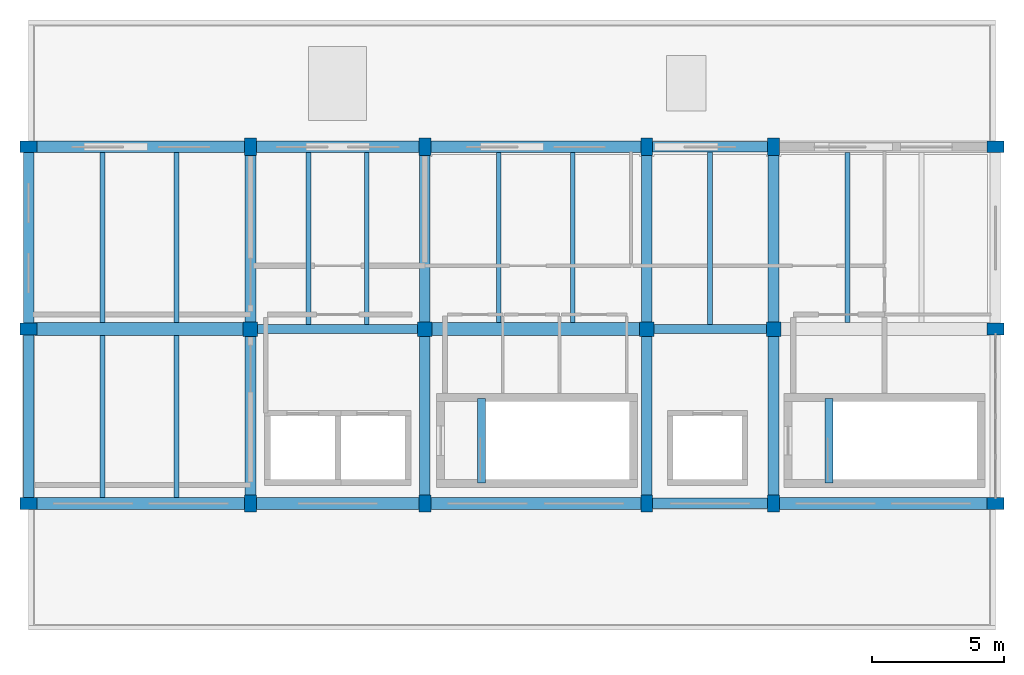
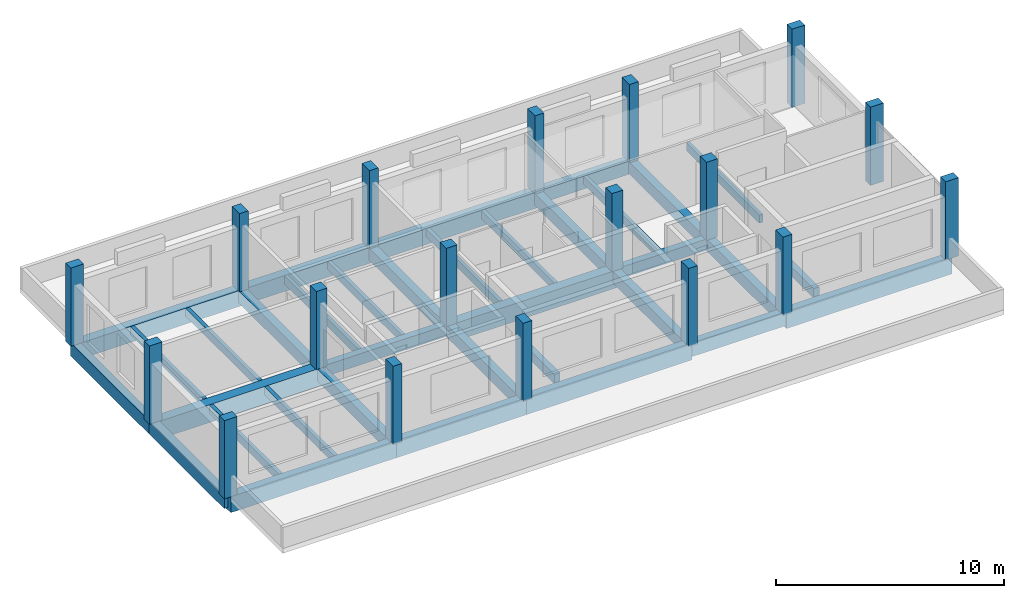
# One storey, part 1 of 6: 35 beams, 18 columns.
"""IFC4 building model written with IfcOpenShell, lengths in metres."""

from ifc_helpers import new_model, si_unit, direction, frame, origin, origin_2d, place, context, subcontext, project, spatial, rectangle, extrude, material, material_profile, profile_set, type_object, element, save


model = new_model("IFC4")

# Units and contexts
model_context = context("Model", 3, precision=1e-05, world=origin(), true_north=direction((0.0, 1.0)))
body_context = subcontext(model_context, "Body", "Model", "MODEL_VIEW")
ifc_project = project(units=[si_unit("LENGTHUNIT", "METRE"), si_unit("AREAUNIT", "SQUARE_METRE"), si_unit("VOLUMEUNIT", "CUBIC_METRE"), si_unit("PLANEANGLEUNIT", "RADIAN"), si_unit("MASSUNIT", "GRAM", prefix="KILO")], contexts=[model_context])

# Site, building, storey
site_placement = place(None, origin())
site = spatial("IfcSite", under=ifc_project, at=site_placement, CompositionType="ELEMENT")
building_placement = place(site_placement, origin())
building = spatial("IfcBuilding", under=site, at=building_placement, Name="Dornvale Research Institute", CompositionType="ELEMENT")
storey_placement = place(building_placement, frame((0.0, 0.0, 46.800048828125)))
storey = spatial("IfcBuildingStorey", under=building, at=storey_placement, Name="L10", CompositionType="ELEMENT", Elevation=46.800048828125)

# Columns
ifc_material_1 = material(Name="Concrete f'c 45 MPa (C35/45)", Category="concrete")
ifc_material_profile_1 = material_profile(ifc_material_1, rectangle(XDim=0.550048828125, YDim=0.550048828125, at=origin_2d()), Name="RC 550x550")
ifc_profile_set_1 = profile_set([ifc_material_profile_1], Name="Concrete f'c 45 MPa (C35/45)")
column_type_1 = type_object("IfcColumnType", Name="Column_RC550", PredefinedType="COLUMN", material=ifc_profile_set_1)
for number, where, z_axis, x_axis, name in (
    (1, (13.199951171875, 110.39990234375, 0.0), (0.0, 0.0, 1.0), (1.0, 0.0, 0.0), "L10 column #400"),
    (2, (19.800048828125, 110.39990234375, 0.0), (0.0, 0.0, 1.0), (1.0, 0.0, 0.0), "L10 column #403"),
    (3, (28.199951171875, 110.39990234375, 0.0), (0.0, 0.0, 1.0), (1.0, 0.0, 0.0), "L10 column #406"),
    (4, (33.0, 110.39990234375, 0.0), (0.0, 0.0, 1.0), (1.0, 0.0, 0.0), "L10 column #409"),
):
    element("IfcColumn", number, at=place(storey_placement, frame(where, z_axis=z_axis, x_axis=x_axis)), inside=storey, type_object=column_type_1, Name=name, PredefinedType="COLUMN", context=body_context, shape_type="SweptSolid", body=[
        extrude(rectangle(XDim=0.550048828125, YDim=0.550048828125, at=origin_2d()), origin(), (0.0, 0.0, 1.0), 4.199951171875),
    ])
ifc_material_2 = material(Name="Concrete f'c 45 MPa (C35/45)", Category="concrete")
ifc_material_profile_2 = material_profile(ifc_material_2, rectangle(XDim=0.449951171875, YDim=0.64990234375, at=origin_2d()), Name="RC 450x650")
ifc_profile_set_2 = profile_set([ifc_material_profile_2], Name="Concrete f'c 45 MPa (C35/45)")
column_type_2 = type_object("IfcColumnType", Name="Pilaster_RC450x650_Ext", PredefinedType="PILASTER", material=ifc_profile_set_2)
for number, where, z_axis, x_axis, name in (
    (5, (4.800048828125, 103.800048828125, 0.0), (0.0, 0.0, 1.0), (0.0, 1.0, 0.0), "L10 column #396"),
    (6, (4.800048828125, 110.39990234375, 0.0), (0.0, 0.0, 1.0), (0.0, 1.0, 0.0), "L10 column #397"),
    (7, (4.800048828125, 117.300048828125, 0.0), (0.0, 0.0, 1.0), (0.0, 1.0, 0.0), "L10 column #398"),
    (8, (13.199951171875, 103.800048828125, 0.0), (0.0, 0.0, 1.0), (1.0, 0.0, 0.0), "L10 column #399"),
    (9, (13.199951171875, 117.300048828125, 0.0), (0.0, 0.0, 1.0), (1.0, 0.0, 0.0), "L10 column #401"),
    (10, (19.800048828125, 103.800048828125, 0.0), (0.0, 0.0, 1.0), (1.0, 0.0, 0.0), "L10 column #402"),
    (11, (19.800048828125, 117.300048828125, 0.0), (0.0, 0.0, 1.0), (1.0, 0.0, 0.0), "L10 column #404"),
    (12, (28.199951171875, 103.800048828125, 0.0), (0.0, 0.0, 1.0), (1.0, 0.0, 0.0), "L10 column #405"),
    (13, (28.199951171875, 117.300048828125, 0.0), (0.0, 0.0, 1.0), (1.0, 0.0, 0.0), "L10 column #407"),
    (14, (33.0, 103.800048828125, 0.0), (0.0, 0.0, 1.0), (1.0, 0.0, 0.0), "L10 column #408"),
    (15, (33.0, 117.300048828125, 0.0), (0.0, 0.0, 1.0), (1.0, 0.0, 0.0), "L10 column #410"),
    (16, (41.39990234375, 103.800048828125, 0.0), (0.0, 0.0, 1.0), (0.0, 1.0, 0.0), "L10 column #411"),
    (17, (41.39990234375, 110.39990234375, 0.0), (0.0, 0.0, 1.0), (0.0, 1.0, 0.0), "L10 column #412"),
    (18, (41.39990234375, 117.300048828125, 0.0), (0.0, 0.0, 1.0), (0.0, 1.0, 0.0), "L10 column #413"),
):
    element("IfcColumn", number, at=place(storey_placement, frame(where, z_axis=z_axis, x_axis=x_axis)), inside=storey, type_object=column_type_2, Name=name, PredefinedType="PILASTER", context=body_context, shape_type="SweptSolid", body=[
        extrude(rectangle(XDim=0.449951171875, YDim=0.64990234375, at=origin_2d()), origin(), (0.0, 0.0, 1.0), 4.199951171875),
    ])

# Beams
ifc_material_3 = material(Name="Concrete f'c 45 MPa (C35/45)", Category="concrete")
ifc_material_profile_3 = material_profile(ifc_material_3, rectangle(XDim=0.300048828125, YDim=0.5, at=origin_2d()), Name="RC 300x500")
ifc_profile_set_3 = profile_set([ifc_material_profile_3], Name="Concrete f'c 45 MPa (C35/45)")
beam_type_1 = type_object("IfcBeamType", Name="Beam_RC300x500_Trim", PredefinedType="BEAM", material=ifc_profile_set_3)
for number, where, z_axis, x_axis, name in (
    (19, (21.949951171875, 104.580078125, -0.25), (0.0, 1.0, 0.0), (-1.0, 0.0, 0.0), "L10 ST-1 stair landing trimmer beam #11"),
    (20, (35.10009765625, 104.580078125, -0.25), (0.0, 1.0, 0.0), (-1.0, 0.0, 0.0), "L10 ST-2 stair landing trimmer beam #34"),
):
    element("IfcBeam", number, at=place(storey_placement, frame(where, z_axis=z_axis, x_axis=x_axis)), inside=storey, type_object=beam_type_1, Name=name, PredefinedType="BEAM", context=body_context, shape_type="SweptSolid", body=[
        extrude(rectangle(XDim=0.300048828125, YDim=0.5, at=origin_2d()), origin(), (0.0, 0.0, 1.0), 3.199951171875),
    ])
ifc_material_4 = material(Name="Concrete f'c 45 MPa (C35/45)", Category="concrete")
ifc_material_profile_4 = material_profile(ifc_material_4, rectangle(XDim=0.35009765625, YDim=0.60009765625, at=origin_2d()), Name="RC 350x600")
ifc_profile_set_4 = profile_set([ifc_material_profile_4], Name="Concrete f'c 45 MPa (C35/45)")
beam_type_2 = type_object("IfcBeamType", Name="Beam_RC350x600_Floor", PredefinedType="BEAM", material=ifc_profile_set_4)
beam_1_placement = place(storey_placement, frame((13.199951171875, 110.39990234375, -0.300048828125), z_axis=(1.0, 0.0, 0.0), x_axis=(0.0, 1.0, 0.0)))
element("IfcBeam", 21, at=beam_1_placement, inside=storey, type_object=beam_type_2, Name="L10 primary girder #1766", PredefinedType="BEAM", context=body_context, shape_type="SweptSolid", body=[
    extrude(rectangle(XDim=0.35009765625, YDim=0.60009765625, at=origin_2d()), origin(), (0.0, 0.0, 1.0), 6.60009765625),
])
beam_2_placement = place(storey_placement, frame((28.199951171875, 110.39990234375, -0.300048828125), z_axis=(1.0, 0.0, 0.0), x_axis=(0.0, 1.0, 0.0)))
element("IfcBeam", 22, at=beam_2_placement, inside=storey, type_object=beam_type_2, Name="L10 primary girder #1768", PredefinedType="BEAM", context=body_context, shape_type="SweptSolid", body=[
    extrude(rectangle(XDim=0.35009765625, YDim=0.60009765625, at=origin_2d()), origin(), (0.0, 0.0, 1.0), 4.800048828125),
])
ifc_material_5 = material(Name="Concrete f'c 45 MPa (C35/45)", Category="concrete")
ifc_material_profile_5 = material_profile(ifc_material_5, rectangle(XDim=0.39990234375, YDim=0.64990234375, at=origin_2d()), Name="RC 400x650")
ifc_profile_set_5 = profile_set([ifc_material_profile_5], Name="Concrete f'c 45 MPa (C35/45)")
beam_type_3 = type_object("IfcBeamType", Name="Beam_RC400x650_Floor", PredefinedType="BEAM", material=ifc_profile_set_5)
beam_3_placement = place(storey_placement, frame((13.199951171875, 103.800048828125, -0.324951171875), z_axis=(0.0, 1.0, 0.0), x_axis=(-1.0, 0.0, 0.0)))
element("IfcBeam", 23, at=beam_3_placement, inside=storey, type_object=beam_type_3, Name="L10 transverse girder #1777", PredefinedType="BEAM", context=body_context, shape_type="SweptSolid", body=[
    extrude(rectangle(XDim=0.39990234375, YDim=0.64990234375, at=origin_2d()), origin(), (0.0, 0.0, 1.0), 6.599853515625),
])
beam_4_placement = place(storey_placement, frame((13.199951171875, 110.39990234375, -0.324951171875), z_axis=(0.0, 1.0, 0.0), x_axis=(-1.0, 0.0, 0.0)))
element("IfcBeam", 24, at=beam_4_placement, inside=storey, type_object=beam_type_3, Name="L10 transverse girder #1778", PredefinedType="BEAM", context=body_context, shape_type="SweptSolid", body=[
    extrude(rectangle(XDim=0.39990234375, YDim=0.64990234375, at=origin_2d()), origin(), (0.0, 0.0, 1.0), 6.900146484375),
])
beam_5_placement = place(storey_placement, frame((19.800048828125, 103.800048828125, -0.324951171875), z_axis=(0.0, 1.0, 0.0), x_axis=(-1.0, 0.0, 0.0)))
element("IfcBeam", 25, at=beam_5_placement, inside=storey, type_object=beam_type_3, Name="L10 transverse girder #1779", PredefinedType="BEAM", context=body_context, shape_type="SweptSolid", body=[
    extrude(rectangle(XDim=0.39990234375, YDim=0.64990234375, at=origin_2d()), origin(), (0.0, 0.0, 1.0), 6.599853515625),
])
beam_6_placement = place(storey_placement, frame((19.800048828125, 110.39990234375, -0.324951171875), z_axis=(0.0, 1.0, 0.0), x_axis=(-1.0, 0.0, 0.0)))
element("IfcBeam", 26, at=beam_6_placement, inside=storey, type_object=beam_type_3, Name="L10 transverse girder #1780", PredefinedType="BEAM", context=body_context, shape_type="SweptSolid", body=[
    extrude(rectangle(XDim=0.39990234375, YDim=0.64990234375, at=origin_2d()), origin(), (0.0, 0.0, 1.0), 6.900146484375),
])
beam_7_placement = place(storey_placement, frame((28.199951171875, 103.800048828125, -0.324951171875), z_axis=(0.0, 1.0, 0.0), x_axis=(-1.0, 0.0, 0.0)))
element("IfcBeam", 27, at=beam_7_placement, inside=storey, type_object=beam_type_3, Name="L10 transverse girder #1781", PredefinedType="BEAM", context=body_context, shape_type="SweptSolid", body=[
    extrude(rectangle(XDim=0.39990234375, YDim=0.64990234375, at=origin_2d()), origin(), (0.0, 0.0, 1.0), 6.599853515625),
])
beam_8_placement = place(storey_placement, frame((28.199951171875, 110.39990234375, -0.324951171875), z_axis=(0.0, 1.0, 0.0), x_axis=(-1.0, 0.0, 0.0)))
element("IfcBeam", 28, at=beam_8_placement, inside=storey, type_object=beam_type_3, Name="L10 transverse girder #1782", PredefinedType="BEAM", context=body_context, shape_type="SweptSolid", body=[
    extrude(rectangle(XDim=0.39990234375, YDim=0.64990234375, at=origin_2d()), origin(), (0.0, 0.0, 1.0), 6.900146484375),
])
beam_9_placement = place(storey_placement, frame((33.0, 103.800048828125, -0.324951171875), z_axis=(0.0, 1.0, 0.0), x_axis=(-1.0, 0.0, 0.0)))
element("IfcBeam", 29, at=beam_9_placement, inside=storey, type_object=beam_type_3, Name="L10 transverse girder #1783", PredefinedType="BEAM", context=body_context, shape_type="SweptSolid", body=[
    extrude(rectangle(XDim=0.39990234375, YDim=0.64990234375, at=origin_2d()), origin(), (0.0, 0.0, 1.0), 6.599853515625),
])
beam_10_placement = place(storey_placement, frame((33.0, 110.39990234375, -0.324951171875), z_axis=(0.0, 1.0, 0.0), x_axis=(-1.0, 0.0, 0.0)))
element("IfcBeam", 30, at=beam_10_placement, inside=storey, type_object=beam_type_3, Name="L10 transverse girder #1784", PredefinedType="BEAM", context=body_context, shape_type="SweptSolid", body=[
    extrude(rectangle(XDim=0.39990234375, YDim=0.64990234375, at=origin_2d()), origin(), (0.0, 0.0, 1.0), 6.900146484375),
])
ifc_material_6 = material(Name="Concrete f'c 45 MPa (C35/45)", Category="concrete")
ifc_material_profile_6 = material_profile(ifc_material_6, rectangle(XDim=0.5, YDim=0.949951171875, at=origin_2d()), Name="RC 500x950")
ifc_profile_set_6 = profile_set([ifc_material_profile_6], Name="Concrete f'c 45 MPa (C35/45)")
beam_type_4 = type_object("IfcBeamType", Name="Beam_RC500x950_Girder", PredefinedType="BEAM", material=ifc_profile_set_6)
for number, where, z_axis, x_axis, name in (
    (31, (4.800048828125, 110.39990234375, -0.47509765625), (1.0, 0.0, 0.0), (0.0, 1.0, 0.0), "L10 primary girder #1765"),
    (32, (19.800048828125, 110.39990234375, -0.47509765625), (1.0, 0.0, 0.0), (0.0, 1.0, 0.0), "L10 primary girder #1767"),
):
    element("IfcBeam", number, at=place(storey_placement, frame(where, z_axis=z_axis, x_axis=x_axis)), inside=storey, type_object=beam_type_4, Name=name, PredefinedType="BEAM", context=body_context, shape_type="SweptSolid", body=[
        extrude(rectangle(XDim=0.5, YDim=0.949951171875, at=origin_2d()), origin(), (0.0, 0.0, 1.0), 8.39990234375),
    ])
ifc_material_7 = material(Name="Concrete f'c 45 MPa (C35/45)", Category="concrete")
ifc_material_profile_7 = material_profile(ifc_material_7, rectangle(XDim=0.179931640625, YDim=0.43505859375, at=origin_2d()), Name="RC 180x435")
ifc_profile_set_7 = profile_set([ifc_material_profile_7], Name="Concrete f'c 45 MPa (C35/45)")
beam_type_5 = type_object("IfcBeamType", Name="Joist_RC180x435_Rib", PredefinedType="JOIST", material=ifc_profile_set_7)
for number, where, z_axis, x_axis, name in (
    (33, (7.60009765625, 104.02490234375, -0.217529296875), (0.0, 1.0, 0.0), (-1.0, 0.0, 0.0), "L10 laboratory waffle joist #850"),
    (34, (10.39990234375, 104.02490234375, -0.217529296875), (0.0, 1.0, 0.0), (-1.0, 0.0, 0.0), "L10 laboratory waffle joist #851"),
):
    element("IfcBeam", number, at=place(storey_placement, frame(where, z_axis=z_axis, x_axis=x_axis)), inside=storey, type_object=beam_type_5, Name=name, PredefinedType="JOIST", context=body_context, shape_type="SweptSolid", body=[
        extrude(rectangle(XDim=0.179931640625, YDim=0.43505859375, at=origin_2d()), origin(), (0.0, 0.0, 1.0), 6.125),
    ])
for number, where, z_axis, x_axis, name in (
    (35, (7.60009765625, 110.64990234375, -0.217529296875), (0.0, 1.0, 0.0), (-1.0, 0.0, 0.0), "L10 laboratory waffle joist #852"),
    (36, (10.39990234375, 110.64990234375, -0.217529296875), (0.0, 1.0, 0.0), (-1.0, 0.0, 0.0), "L10 laboratory waffle joist #853"),
):
    element("IfcBeam", number, at=place(storey_placement, frame(where, z_axis=z_axis, x_axis=x_axis)), inside=storey, type_object=beam_type_5, Name=name, PredefinedType="JOIST", context=body_context, shape_type="SweptSolid", body=[
        extrude(rectangle(XDim=0.179931640625, YDim=0.43505859375, at=origin_2d()), origin(), (0.0, 0.0, 1.0), 6.425048828125),
    ])
for number, where, z_axis, x_axis, name in (
    (37, (15.39990234375, 110.574951171875, -0.217529296875), (0.0, 1.0, 0.0), (-1.0, 0.0, 0.0), "L10 laboratory waffle joist #854"),
    (38, (17.60009765625, 110.574951171875, -0.217529296875), (0.0, 1.0, 0.0), (-1.0, 0.0, 0.0), "L10 laboratory waffle joist #855"),
):
    element("IfcBeam", number, at=place(storey_placement, frame(where, z_axis=z_axis, x_axis=x_axis)), inside=storey, type_object=beam_type_5, Name=name, PredefinedType="JOIST", context=body_context, shape_type="SweptSolid", body=[
        extrude(rectangle(XDim=0.179931640625, YDim=0.43505859375, at=origin_2d()), origin(), (0.0, 0.0, 1.0), 6.5),
    ])
for number, where, z_axis, x_axis, name in (
    (39, (22.60009765625, 110.64990234375, -0.217529296875), (0.0, 1.0, 0.0), (-1.0, 0.0, 0.0), "L10 laboratory waffle joist #856"),
    (40, (25.39990234375, 110.64990234375, -0.217529296875), (0.0, 1.0, 0.0), (-1.0, 0.0, 0.0), "L10 laboratory waffle joist #857"),
):
    element("IfcBeam", number, at=place(storey_placement, frame(where, z_axis=z_axis, x_axis=x_axis)), inside=storey, type_object=beam_type_5, Name=name, PredefinedType="JOIST", context=body_context, shape_type="SweptSolid", body=[
        extrude(rectangle(XDim=0.179931640625, YDim=0.43505859375, at=origin_2d()), origin(), (0.0, 0.0, 1.0), 6.425048828125),
    ])
beam_11_placement = place(storey_placement, frame((30.60009765625, 110.574951171875, -0.217529296875), z_axis=(0.0, 1.0, 0.0), x_axis=(-1.0, 0.0, 0.0)))
element("IfcBeam", 41, at=beam_11_placement, inside=storey, type_object=beam_type_5, Name="L10 laboratory waffle joist #858", PredefinedType="JOIST", context=body_context, shape_type="SweptSolid", body=[
    extrude(rectangle(XDim=0.179931640625, YDim=0.43505859375, at=origin_2d()), origin(), (0.0, 0.0, 1.0), 6.525146484375),
])
beam_12_placement = place(storey_placement, frame((35.800048828125, 110.64990234375, -0.217529296875), z_axis=(0.0, 1.0, 0.0), x_axis=(-1.0, 0.0, 0.0)))
element("IfcBeam", 42, at=beam_12_placement, inside=storey, type_object=beam_type_5, Name="L10 laboratory waffle joist #859", PredefinedType="JOIST", context=body_context, shape_type="SweptSolid", body=[
    extrude(rectangle(XDim=0.179931640625, YDim=0.43505859375, at=origin_2d()), origin(), (0.0, 0.0, 1.0), 6.425048828125),
])
ifc_material_8 = material(Name="Concrete f'c 45 MPa (C35/45)", Category="concrete")
ifc_material_profile_8 = material_profile(ifc_material_8, rectangle(XDim=0.39990234375, YDim=0.699951171875, at=origin_2d()), Name="RC 400x700")
ifc_profile_set_8 = profile_set([ifc_material_profile_8], Name="Concrete f'c 45 MPa (C35/45)")
beam_type_6 = type_object("IfcBeamType", Name="Spandrel_RC400x700_Ext", PredefinedType="SPANDREL", material=ifc_profile_set_8)
for number, where, z_axis, x_axis, name in (
    (43, (28.199951171875, 103.800048828125, -0.35009765625), (1.0, 0.0, 0.0), (0.0, 1.0, 0.0), "L10 perimeter spandrel #1763"),
    (44, (28.199951171875, 117.300048828125, -0.35009765625), (1.0, 0.0, 0.0), (0.0, 1.0, 0.0), "L10 perimeter spandrel #1773"),
):
    element("IfcBeam", number, at=place(storey_placement, frame(where, z_axis=z_axis, x_axis=x_axis)), inside=storey, type_object=beam_type_6, Name=name, PredefinedType="SPANDREL", context=body_context, shape_type="SweptSolid", body=[
        extrude(rectangle(XDim=0.39990234375, YDim=0.699951171875, at=origin_2d()), origin(), (0.0, 0.0, 1.0), 4.800048828125),
    ])
beam_13_placement = place(storey_placement, frame((4.800048828125, 103.800048828125, -0.35009765625), z_axis=(0.0, 1.0, 0.0), x_axis=(-1.0, 0.0, 0.0)))
element("IfcBeam", 45, at=beam_13_placement, inside=storey, type_object=beam_type_6, Name="L10 perimeter spandrel #1775", PredefinedType="SPANDREL", context=body_context, shape_type="SweptSolid", body=[
    extrude(rectangle(XDim=0.39990234375, YDim=0.699951171875, at=origin_2d()), origin(), (0.0, 0.0, 1.0), 6.599853515625),
])
beam_14_placement = place(storey_placement, frame((4.800048828125, 110.39990234375, -0.35009765625), z_axis=(0.0, 1.0, 0.0), x_axis=(-1.0, 0.0, 0.0)))
element("IfcBeam", 46, at=beam_14_placement, inside=storey, type_object=beam_type_6, Name="L10 perimeter spandrel #1776", PredefinedType="SPANDREL", context=body_context, shape_type="SweptSolid", body=[
    extrude(rectangle(XDim=0.39990234375, YDim=0.699951171875, at=origin_2d()), origin(), (0.0, 0.0, 1.0), 6.900146484375),
])
ifc_material_9 = material(Name="Concrete f'c 45 MPa (C35/45)", Category="concrete")
ifc_material_profile_9 = material_profile(ifc_material_9, rectangle(XDim=0.449951171875, YDim=0.85009765625, at=origin_2d()), Name="RC 450x850")
ifc_profile_set_9 = profile_set([ifc_material_profile_9], Name="Concrete f'c 45 MPa (C35/45)")
beam_type_7 = type_object("IfcBeamType", Name="Spandrel_RC450x850_Ext", PredefinedType="SPANDREL", material=ifc_profile_set_9)
beam_15_placement = place(storey_placement, frame((4.800048828125, 103.800048828125, -0.425048828125), z_axis=(1.0, 0.0, 0.0), x_axis=(0.0, 1.0, 0.0)))
element("IfcBeam", 47, at=beam_15_placement, inside=storey, type_object=beam_type_7, Name="L10 perimeter spandrel #1760", PredefinedType="SPANDREL", context=body_context, shape_type="SweptSolid", body=[
    extrude(rectangle(XDim=0.449951171875, YDim=0.85009765625, at=origin_2d()), origin(), (0.0, 0.0, 1.0), 8.39990234375),
])
beam_16_placement = place(storey_placement, frame((13.199951171875, 103.800048828125, -0.425048828125), z_axis=(1.0, 0.0, 0.0), x_axis=(0.0, 1.0, 0.0)))
element("IfcBeam", 48, at=beam_16_placement, inside=storey, type_object=beam_type_7, Name="L10 perimeter spandrel #1761", PredefinedType="SPANDREL", context=body_context, shape_type="SweptSolid", body=[
    extrude(rectangle(XDim=0.449951171875, YDim=0.85009765625, at=origin_2d()), origin(), (0.0, 0.0, 1.0), 6.60009765625),
])
for number, where, z_axis, x_axis, name in (
    (49, (19.800048828125, 103.800048828125, -0.425048828125), (1.0, 0.0, 0.0), (0.0, 1.0, 0.0), "L10 perimeter spandrel #1762"),
    (50, (33.0, 103.800048828125, -0.425048828125), (1.0, 0.0, 0.0), (0.0, 1.0, 0.0), "L10 perimeter spandrel #1764"),
    (51, (4.800048828125, 117.300048828125, -0.425048828125), (1.0, 0.0, 0.0), (0.0, 1.0, 0.0), "L10 perimeter spandrel #1770"),
):
    element("IfcBeam", number, at=place(storey_placement, frame(where, z_axis=z_axis, x_axis=x_axis)), inside=storey, type_object=beam_type_7, Name=name, PredefinedType="SPANDREL", context=body_context, shape_type="SweptSolid", body=[
        extrude(rectangle(XDim=0.449951171875, YDim=0.85009765625, at=origin_2d()), origin(), (0.0, 0.0, 1.0), 8.39990234375),
    ])
beam_17_placement = place(storey_placement, frame((13.199951171875, 117.300048828125, -0.425048828125), z_axis=(1.0, 0.0, 0.0), x_axis=(0.0, 1.0, 0.0)))
element("IfcBeam", 52, at=beam_17_placement, inside=storey, type_object=beam_type_7, Name="L10 perimeter spandrel #1771", PredefinedType="SPANDREL", context=body_context, shape_type="SweptSolid", body=[
    extrude(rectangle(XDim=0.449951171875, YDim=0.85009765625, at=origin_2d()), origin(), (0.0, 0.0, 1.0), 6.60009765625),
])
beam_18_placement = place(storey_placement, frame((19.800048828125, 117.300048828125, -0.425048828125), z_axis=(1.0, 0.0, 0.0), x_axis=(0.0, 1.0, 0.0)))
element("IfcBeam", 53, at=beam_18_placement, inside=storey, type_object=beam_type_7, Name="L10 perimeter spandrel #1772", PredefinedType="SPANDREL", context=body_context, shape_type="SweptSolid", body=[
    extrude(rectangle(XDim=0.449951171875, YDim=0.85009765625, at=origin_2d()), origin(), (0.0, 0.0, 1.0), 8.39990234375),
])

save(model, "model.ifc")
